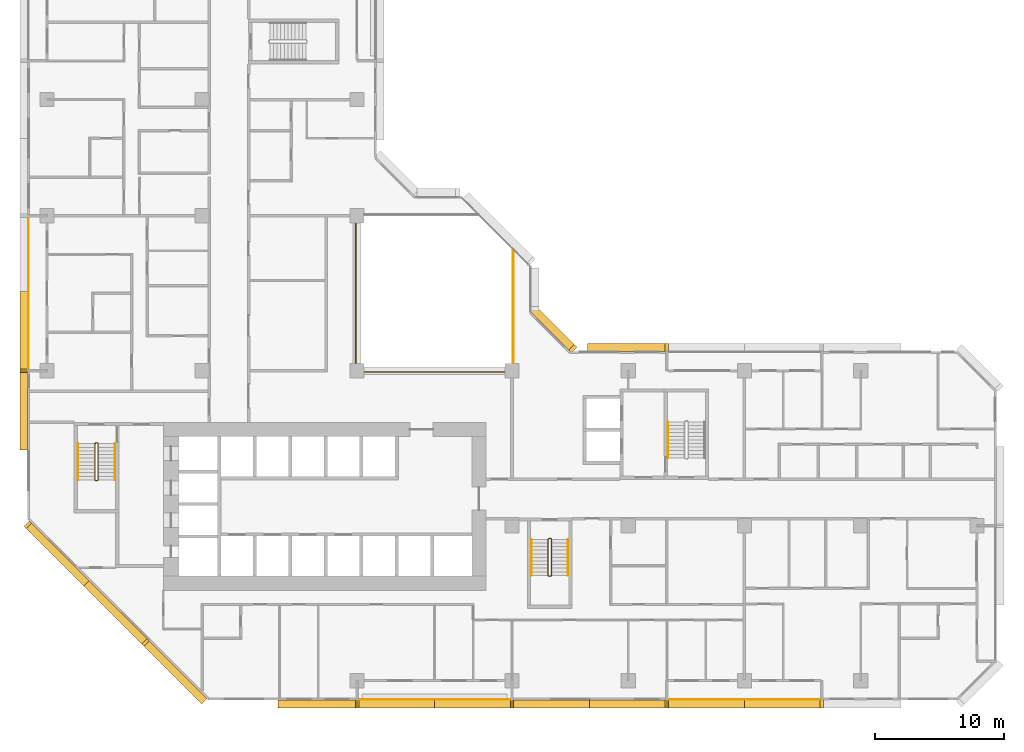
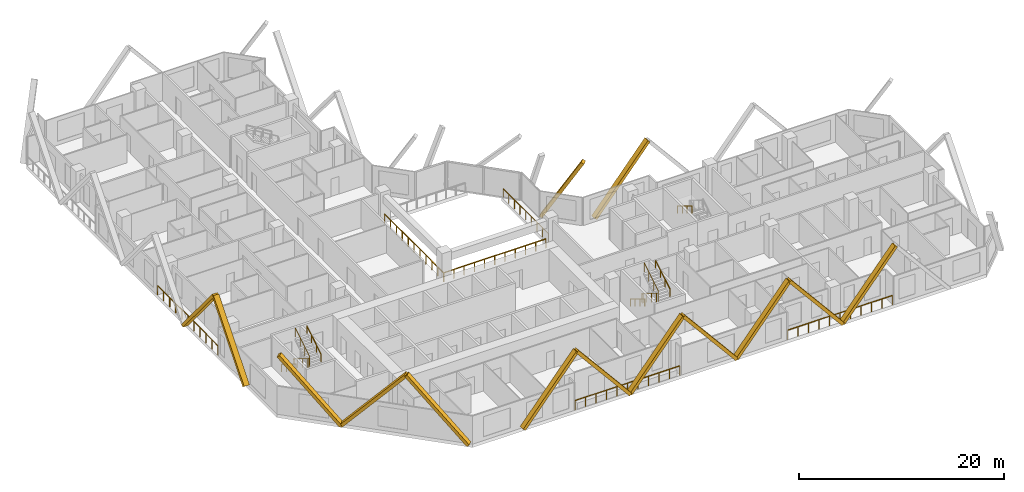
# One storey, part 14 of 15: 14 coverings, 12 railings.
"""IFC4 building model written with IfcOpenShell, lengths in metres."""

from ifc_helpers import new_model, si_unit, direction, frame, origin, origin_2d, place, context, subcontext, project, spatial, rectangle, extrude, material, material_profile, profile_set, type_object, element, save


model = new_model("IFC4")

# Units and contexts
model_context = context("Model", 3, precision=1e-05, world=origin(), true_north=direction((0.0, 1.0)))
body_context = subcontext(model_context, "Body", "Model", "MODEL_VIEW")
ifc_project = project(units=[si_unit("LENGTHUNIT", "METRE"), si_unit("AREAUNIT", "SQUARE_METRE"), si_unit("VOLUMEUNIT", "CUBIC_METRE"), si_unit("PLANEANGLEUNIT", "RADIAN"), si_unit("MASSUNIT", "GRAM", prefix="KILO")], contexts=[model_context])

# Site, building, storey
site_placement = place(None, origin())
site = spatial("IfcSite", under=ifc_project, at=site_placement, CompositionType="ELEMENT")
building_placement = place(site_placement, origin())
building = spatial("IfcBuilding", under=site, at=building_placement, Name="Chenar Terraces", CompositionType="ELEMENT")
storey_placement = place(building_placement, frame((0.0, 0.0, 48.89990234375)))
storey = spatial("IfcBuildingStorey", under=building, at=storey_placement, Name="L09", CompositionType="ELEMENT", Elevation=48.89990234375)

# Railings
ifc_material_1 = material(Name="Powder-coated steel", Category="steel")
railing_type_1 = type_object("IfcRailingType", Name="Guard 1100 steel rail with glass infill", PredefinedType="GUARDRAIL", material=ifc_material_1)
railing_1_placement = place(storey_placement, frame((23.89990234375, 35.449951171875, 0.0)))
element("IfcRailing", 1, at=railing_1_placement, inside=storey, type_object=railing_type_1, Name="Guard L09-1", PredefinedType="GUARDRAIL", context=body_context, shape_type="SweptSolid", body=[
    extrude(rectangle(XDim=0.06005859375, YDim=0.06005859375, at=origin_2d()), frame((0.0, 0.0, 1.070068359375), z_axis=(0.0, -1.0, 0.0), x_axis=(1.0, 0.0, 0.0)), (0.0, 0.0, 1.0), 11.550048828125),
    extrude(rectangle(XDim=0.06005859375, YDim=0.06005859375, at=origin_2d()), frame((0.0, -11.550048828125, 1.070068359375), z_axis=(1.0, 0.0, 0.0), x_axis=(0.0, 1.0, 0.0)), (0.0, 0.0, 1.0), 11.550048828125),
    extrude(rectangle(XDim=0.050048828125, YDim=0.050048828125, at=origin_2d()), origin(), (0.0, 0.0, 1.0), 1.0400390625),
    extrude(rectangle(XDim=0.050048828125, YDim=0.050048828125, at=origin_2d()), frame((0.0, -1.155029296875, 0.0)), (0.0, 0.0, 1.0), 1.0400390625),
    extrude(rectangle(XDim=0.050048828125, YDim=0.050048828125, at=origin_2d()), frame((0.0, -2.31005859375, 0.0)), (0.0, 0.0, 1.0), 1.0400390625),
    extrude(rectangle(XDim=0.050048828125, YDim=0.050048828125, at=origin_2d()), frame((0.0, -3.465087890625, 0.0)), (0.0, 0.0, 1.0), 1.0400390625),
    extrude(rectangle(XDim=0.050048828125, YDim=0.050048828125, at=origin_2d()), frame((0.0, -4.6201171875, 0.0)), (0.0, 0.0, 1.0), 1.0400390625),
    extrude(rectangle(XDim=0.050048828125, YDim=0.050048828125, at=origin_2d()), frame((0.0, -5.77490234375, 0.0)), (0.0, 0.0, 1.0), 1.0400390625),
    extrude(rectangle(XDim=0.050048828125, YDim=0.050048828125, at=origin_2d()), frame((0.0, -6.929931640625, 0.0)), (0.0, 0.0, 1.0), 1.0400390625),
    extrude(rectangle(XDim=0.050048828125, YDim=0.050048828125, at=origin_2d()), frame((0.0, -8.0849609375, 0.0)), (0.0, 0.0, 1.0), 1.0400390625),
    extrude(rectangle(XDim=0.050048828125, YDim=0.050048828125, at=origin_2d()), frame((0.0, -9.239990234375, 0.0)), (0.0, 0.0, 1.0), 1.0400390625),
    extrude(rectangle(XDim=0.050048828125, YDim=0.050048828125, at=origin_2d()), frame((0.0, -10.39501953125, 0.0)), (0.0, 0.0, 1.0), 1.0400390625),
    extrude(rectangle(XDim=0.050048828125, YDim=0.050048828125, at=origin_2d()), frame((0.0, -11.550048828125, 0.0)), (0.0, 0.0, 1.0), 1.0400390625),
    extrude(rectangle(XDim=0.050048828125, YDim=0.050048828125, at=origin_2d()), frame((1.155029296875, -11.550048828125, 0.0)), (0.0, 0.0, 1.0), 1.0400390625),
    extrude(rectangle(XDim=0.050048828125, YDim=0.050048828125, at=origin_2d()), frame((2.31005859375, -11.550048828125, 0.0)), (0.0, 0.0, 1.0), 1.0400390625),
    extrude(rectangle(XDim=0.050048828125, YDim=0.050048828125, at=origin_2d()), frame((3.465087890625, -11.550048828125, 0.0)), (0.0, 0.0, 1.0), 1.0400390625),
    extrude(rectangle(XDim=0.050048828125, YDim=0.050048828125, at=origin_2d()), frame((4.6201171875, -11.550048828125, 0.0)), (0.0, 0.0, 1.0), 1.0400390625),
    extrude(rectangle(XDim=0.050048828125, YDim=0.050048828125, at=origin_2d()), frame((5.77490234375, -11.550048828125, 0.0)), (0.0, 0.0, 1.0), 1.0400390625),
    extrude(rectangle(XDim=0.050048828125, YDim=0.050048828125, at=origin_2d()), frame((6.929931640625, -11.550048828125, 0.0)), (0.0, 0.0, 1.0), 1.0400390625),
    extrude(rectangle(XDim=0.050048828125, YDim=0.050048828125, at=origin_2d()), frame((8.0849609375, -11.550048828125, 0.0)), (0.0, 0.0, 1.0), 1.0400390625),
    extrude(rectangle(XDim=0.050048828125, YDim=0.050048828125, at=origin_2d()), frame((9.239990234375, -11.550048828125, 0.0)), (0.0, 0.0, 1.0), 1.0400390625),
    extrude(rectangle(XDim=0.050048828125, YDim=0.050048828125, at=origin_2d()), frame((10.39501953125, -11.550048828125, 0.0)), (0.0, 0.0, 1.0), 1.0400390625),
    extrude(rectangle(XDim=0.050048828125, YDim=0.050048828125, at=origin_2d()), frame((11.550048828125, -11.550048828125, 0.0)), (0.0, 0.0, 1.0), 1.0400390625),
])
railing_2_placement = place(storey_placement, frame((36.10009765625, 24.60009765625, 0.0)))
element("IfcRailing", 2, at=railing_2_placement, inside=storey, type_object=railing_type_1, Name="Guard L09-3", PredefinedType="GUARDRAIL", context=body_context, shape_type="SweptSolid", body=[
    extrude(rectangle(XDim=0.06005859375, YDim=0.06005859375, at=origin_2d()), frame((0.0, 0.0, 1.070068359375), z_axis=(0.0, 1.0, 0.0), x_axis=(-1.0, 0.0, 0.0)), (0.0, 0.0, 1.0), 8.7998046875),
    extrude(rectangle(XDim=0.050048828125, YDim=0.050048828125, at=origin_2d()), origin(), (0.0, 0.0, 1.0), 1.0400390625),
    extrude(rectangle(XDim=0.050048828125, YDim=0.050048828125, at=origin_2d()), frame((0.0, 1.10009765625, 0.0)), (0.0, 0.0, 1.0), 1.0400390625),
    extrude(rectangle(XDim=0.050048828125, YDim=0.050048828125, at=origin_2d()), frame((0.0, 2.199951171875, 0.0)), (0.0, 0.0, 1.0), 1.0400390625),
    extrude(rectangle(XDim=0.050048828125, YDim=0.050048828125, at=origin_2d()), frame((0.0, 3.2998046875, 0.0)), (0.0, 0.0, 1.0), 1.0400390625),
    extrude(rectangle(XDim=0.050048828125, YDim=0.050048828125, at=origin_2d()), frame((0.0, 4.39990234375, 0.0)), (0.0, 0.0, 1.0), 1.0400390625),
    extrude(rectangle(XDim=0.050048828125, YDim=0.050048828125, at=origin_2d()), frame((0.0, 5.5, 0.0)), (0.0, 0.0, 1.0), 1.0400390625),
    extrude(rectangle(XDim=0.050048828125, YDim=0.050048828125, at=origin_2d()), frame((0.0, 6.599853515625, 0.0)), (0.0, 0.0, 1.0), 1.0400390625),
    extrude(rectangle(XDim=0.050048828125, YDim=0.050048828125, at=origin_2d()), frame((0.0, 7.69970703125, 0.0)), (0.0, 0.0, 1.0), 1.0400390625),
    extrude(rectangle(XDim=0.050048828125, YDim=0.050048828125, at=origin_2d()), frame((0.0, 8.7998046875, 0.0)), (0.0, 0.0, 1.0), 1.0400390625),
])
ifc_material_2 = material(Name="Stainless steel and glass", Category="steel")
railing_type_2 = type_object("IfcRailingType", Name="Loggia guard 1150", PredefinedType="GUARDRAIL", material=ifc_material_2)
railing_3_placement = place(storey_placement, frame((24.074951171875, -1.449951171875, 0.0)))
element("IfcRailing", 3, at=railing_3_placement, inside=storey, type_object=railing_type_2, Name="Loggia guard", PredefinedType="GUARDRAIL", context=body_context, shape_type="SweptSolid", body=[
    extrude(rectangle(XDim=0.048095703125, YDim=0.048095703125, at=origin_2d()), frame((0.0, 0.0, 1.1259765625), z_axis=(1.0, 0.0, 0.0), x_axis=(0.0, 1.0, 0.0)), (0.0, 0.0, 1.0), 11.85009765625),
    extrude(rectangle(XDim=0.0419921875, YDim=0.0419921875, at=origin_2d()), origin(), (0.0, 0.0, 1.0), 1.101806640625),
    extrude(rectangle(XDim=0.0419921875, YDim=0.0419921875, at=origin_2d()), frame((1.18505859375, 0.0, 0.0)), (0.0, 0.0, 1.0), 1.101806640625),
    extrude(rectangle(XDim=0.0419921875, YDim=0.0419921875, at=origin_2d()), frame((2.3701171875, 0.0, 0.0)), (0.0, 0.0, 1.0), 1.101806640625),
    extrude(rectangle(XDim=0.0419921875, YDim=0.0419921875, at=origin_2d()), frame((3.554931640625, 0.0, 0.0)), (0.0, 0.0, 1.0), 1.101806640625),
    extrude(rectangle(XDim=0.0419921875, YDim=0.0419921875, at=origin_2d()), frame((4.739990234375, 0.0, 0.0)), (0.0, 0.0, 1.0), 1.101806640625),
    extrude(rectangle(XDim=0.0419921875, YDim=0.0419921875, at=origin_2d()), frame((5.925048828125, 0.0, 0.0)), (0.0, 0.0, 1.0), 1.101806640625),
    extrude(rectangle(XDim=0.0419921875, YDim=0.0419921875, at=origin_2d()), frame((7.110107421875, 0.0, 0.0)), (0.0, 0.0, 1.0), 1.101806640625),
    extrude(rectangle(XDim=0.0419921875, YDim=0.0419921875, at=origin_2d()), frame((8.295166015625, 0.0, 0.0)), (0.0, 0.0, 1.0), 1.101806640625),
    extrude(rectangle(XDim=0.0419921875, YDim=0.0419921875, at=origin_2d()), frame((9.47998046875, 0.0, 0.0)), (0.0, 0.0, 1.0), 1.101806640625),
    extrude(rectangle(XDim=0.0419921875, YDim=0.0419921875, at=origin_2d()), frame((10.6650390625, 0.0, 0.0)), (0.0, 0.0, 1.0), 1.101806640625),
    extrude(rectangle(XDim=0.0419921875, YDim=0.0419921875, at=origin_2d()), frame((11.85009765625, 0.0, 0.0)), (0.0, 0.0, 1.0), 1.101806640625),
])
railing_4_placement = place(storey_placement, frame((48.074951171875, -1.449951171875, 0.0)))
element("IfcRailing", 4, at=railing_4_placement, inside=storey, type_object=railing_type_2, Name="Loggia guard", PredefinedType="GUARDRAIL", context=body_context, shape_type="SweptSolid", body=[
    extrude(rectangle(XDim=0.048095703125, YDim=0.048095703125, at=origin_2d()), frame((0.0, 0.0, 1.1259765625), z_axis=(1.0, 0.0, 0.0), x_axis=(0.0, 1.0, 0.0)), (0.0, 0.0, 1.0), 11.85009765625),
    extrude(rectangle(XDim=0.0419921875, YDim=0.0419921875, at=origin_2d()), origin(), (0.0, 0.0, 1.0), 1.101806640625),
    extrude(rectangle(XDim=0.0419921875, YDim=0.0419921875, at=origin_2d()), frame((1.18505859375, 0.0, 0.0)), (0.0, 0.0, 1.0), 1.101806640625),
    extrude(rectangle(XDim=0.0419921875, YDim=0.0419921875, at=origin_2d()), frame((2.3701171875, 0.0, 0.0)), (0.0, 0.0, 1.0), 1.101806640625),
    extrude(rectangle(XDim=0.0419921875, YDim=0.0419921875, at=origin_2d()), frame((3.554931640625, 0.0, 0.0)), (0.0, 0.0, 1.0), 1.101806640625),
    extrude(rectangle(XDim=0.0419921875, YDim=0.0419921875, at=origin_2d()), frame((4.739990234375, 0.0, 0.0)), (0.0, 0.0, 1.0), 1.101806640625),
    extrude(rectangle(XDim=0.0419921875, YDim=0.0419921875, at=origin_2d()), frame((5.925048828125, 0.0, 0.0)), (0.0, 0.0, 1.0), 1.101806640625),
    extrude(rectangle(XDim=0.0419921875, YDim=0.0419921875, at=origin_2d()), frame((7.110107421875, 0.0, 0.0)), (0.0, 0.0, 1.0), 1.101806640625),
    extrude(rectangle(XDim=0.0419921875, YDim=0.0419921875, at=origin_2d()), frame((8.295166015625, 0.0, 0.0)), (0.0, 0.0, 1.0), 1.101806640625),
    extrude(rectangle(XDim=0.0419921875, YDim=0.0419921875, at=origin_2d()), frame((9.47998046875, 0.0, 0.0)), (0.0, 0.0, 1.0), 1.101806640625),
    extrude(rectangle(XDim=0.0419921875, YDim=0.0419921875, at=origin_2d()), frame((10.6650390625, 0.0, 0.0)), (0.0, 0.0, 1.0), 1.101806640625),
    extrude(rectangle(XDim=0.0419921875, YDim=0.0419921875, at=origin_2d()), frame((11.85009765625, 0.0, 0.0)), (0.0, 0.0, 1.0), 1.101806640625),
])
railing_5_placement = place(storey_placement, frame((-1.449951171875, 35.925048828125, 0.0)))
element("IfcRailing", 5, at=railing_5_placement, inside=storey, type_object=railing_type_2, Name="Loggia guard", PredefinedType="GUARDRAIL", context=body_context, shape_type="SweptSolid", body=[
    extrude(rectangle(XDim=0.048095703125, YDim=0.048095703125, at=origin_2d()), frame((0.0, 0.0, 1.1259765625), z_axis=(0.0, -1.0, 0.0), x_axis=(1.0, 0.0, 0.0)), (0.0, 0.0, 1.0), 11.85009765625),
    extrude(rectangle(XDim=0.0419921875, YDim=0.0419921875, at=origin_2d()), origin(), (0.0, 0.0, 1.0), 1.101806640625),
    extrude(rectangle(XDim=0.0419921875, YDim=0.0419921875, at=origin_2d()), frame((0.0, -1.18505859375, 0.0)), (0.0, 0.0, 1.0), 1.101806640625),
    extrude(rectangle(XDim=0.0419921875, YDim=0.0419921875, at=origin_2d()), frame((0.0, -2.3701171875, 0.0)), (0.0, 0.0, 1.0), 1.101806640625),
    extrude(rectangle(XDim=0.0419921875, YDim=0.0419921875, at=origin_2d()), frame((0.0, -3.554931640625, 0.0)), (0.0, 0.0, 1.0), 1.101806640625),
    extrude(rectangle(XDim=0.0419921875, YDim=0.0419921875, at=origin_2d()), frame((0.0, -4.739990234375, 0.0)), (0.0, 0.0, 1.0), 1.101806640625),
    extrude(rectangle(XDim=0.0419921875, YDim=0.0419921875, at=origin_2d()), frame((0.0, -5.925048828125, 0.0)), (0.0, 0.0, 1.0), 1.101806640625),
    extrude(rectangle(XDim=0.0419921875, YDim=0.0419921875, at=origin_2d()), frame((0.0, -7.110107421875, 0.0)), (0.0, 0.0, 1.0), 1.101806640625),
    extrude(rectangle(XDim=0.0419921875, YDim=0.0419921875, at=origin_2d()), frame((0.0, -8.295166015625, 0.0)), (0.0, 0.0, 1.0), 1.101806640625),
    extrude(rectangle(XDim=0.0419921875, YDim=0.0419921875, at=origin_2d()), frame((0.0, -9.47998046875, 0.0)), (0.0, 0.0, 1.0), 1.101806640625),
    extrude(rectangle(XDim=0.0419921875, YDim=0.0419921875, at=origin_2d()), frame((0.0, -10.6650390625, 0.0)), (0.0, 0.0, 1.0), 1.101806640625),
    extrude(rectangle(XDim=0.0419921875, YDim=0.0419921875, at=origin_2d()), frame((0.0, -11.85009765625, 0.0)), (0.0, 0.0, 1.0), 1.101806640625),
])
ifc_material_3 = material(Name="Powder-coated steel", Category="steel")
railing_type_3 = type_object("IfcRailingType", Name="Stair guard 1100", PredefinedType="GUARDRAIL", material=ifc_material_3)
railing_6_placement = place(storey_placement, frame((3.949951171875, 18.35009765625, 3.75)))
element("IfcRailing", 6, at=railing_6_placement, inside=storey, type_object=railing_type_3, Name="L09 ST1 stair guard 1", PredefinedType="GUARDRAIL", context=body_context, shape_type="SweptSolid", body=[
    extrude(rectangle(XDim=0.048095703125, YDim=0.048095703125, at=origin_2d()), frame((0.0, 0.0, 1.076171875), z_axis=(0.0, -0.854202870247, -0.519939858505), x_axis=(1.0, 0.0, 0.0)), (0.0, 0.0, 1.0), 3.278076171875),
    extrude(rectangle(XDim=0.048095703125, YDim=0.048095703125, at=origin_2d()), frame((0.0, -2.800048828125, -0.62841796875), z_axis=(-0.270899902878, -0.270899902878, -0.923702595667), x_axis=(0.707106781187, -0.707106781187, 0.0)), (0.0, 0.0, 1.0), 0.184814453125),
    extrude(rectangle(XDim=0.048095703125, YDim=0.048095703125, at=origin_2d()), frame((-0.050048828125, -2.85009765625, -0.798828125), z_axis=(-1.0, 0.0, 0.0), x_axis=(0.0, -1.0, 0.0)), (0.0, 0.0, 1.0), 0.14990234375),
    extrude(rectangle(XDim=0.048095703125, YDim=0.048095703125, at=origin_2d()), frame((-0.199951171875, -2.85009765625, -0.798828125), z_axis=(-0.707106781187, 0.707106781187, 0.0), x_axis=(-0.707106781187, -0.707106781187, 0.0)), (0.0, 0.0, 1.0), 0.07080078125),
    extrude(rectangle(XDim=0.048095703125, YDim=0.048095703125, at=origin_2d()), frame((-0.25, -2.800048828125, -0.798828125), z_axis=(0.0, 0.854202870247, -0.519939858505), x_axis=(-1.0, 0.0, 0.0)), (0.0, 0.0, 1.0), 3.278076171875),
    extrude(rectangle(XDim=0.048095703125, YDim=0.048095703125, at=origin_2d()), frame((-0.25, 0.0, -2.50341796875), z_axis=(0.270996696079, 0.269674760976, -0.924032636873), x_axis=(-0.705375805398, 0.708833529934, 0.0)), (0.0, 0.0, 1.0), 0.1845703125),
    extrude(rectangle(XDim=0.048095703125, YDim=0.048095703125, at=origin_2d()), frame((-0.199951171875, 0.0498046875, -2.673828125), z_axis=(1.0, 0.0, 0.0), x_axis=(0.0, 1.0, 0.0)), (0.0, 0.0, 1.0), 0.14990234375),
    extrude(rectangle(XDim=0.0419921875, YDim=0.0419921875, at=origin_2d()), origin(), (0.0, 0.0, 1.0), 1.052001953125),
    extrude(rectangle(XDim=0.0419921875, YDim=0.0419921875, at=origin_2d()), frame((0.0, -0.933349609375, -0.568115234375)), (0.0, 0.0, 1.0), 1.052001953125),
    extrude(rectangle(XDim=0.0419921875, YDim=0.0419921875, at=origin_2d()), frame((0.0, -1.86669921875, -1.13623046875)), (0.0, 0.0, 1.0), 1.052001953125),
    extrude(rectangle(XDim=0.0419921875, YDim=0.0419921875, at=origin_2d()), frame((0.0, -2.800048828125, -1.704345703125)), (0.0, 0.0, 1.0), 1.052001953125),
    extrude(rectangle(XDim=0.0419921875, YDim=0.0419921875, at=origin_2d()), frame((-0.050048828125, -2.85009765625, -1.875)), (0.0, 0.0, 1.0), 1.052001953125),
    extrude(rectangle(XDim=0.0419921875, YDim=0.0419921875, at=origin_2d()), frame((-0.199951171875, -2.85009765625, -1.875)), (0.0, 0.0, 1.0), 1.052001953125),
    extrude(rectangle(XDim=0.0419921875, YDim=0.0419921875, at=origin_2d()), frame((-0.25, -2.800048828125, -1.875)), (0.0, 0.0, 1.0), 1.052001953125),
    extrude(rectangle(XDim=0.0419921875, YDim=0.0419921875, at=origin_2d()), frame((-0.25, -1.86669921875, -2.443115234375)), (0.0, 0.0, 1.0), 1.052001953125),
    extrude(rectangle(XDim=0.0419921875, YDim=0.0419921875, at=origin_2d()), frame((-0.25, -0.933349609375, -3.01123046875)), (0.0, 0.0, 1.0), 1.052001953125),
    extrude(rectangle(XDim=0.0419921875, YDim=0.0419921875, at=origin_2d()), frame((-0.25, 0.0, -3.579345703125)), (0.0, 0.0, 1.0), 1.052001953125),
    extrude(rectangle(XDim=0.0419921875, YDim=0.0419921875, at=origin_2d()), frame((-0.199951171875, 0.0498046875, -3.75)), (0.0, 0.0, 1.0), 1.052001953125),
    extrude(rectangle(XDim=0.0419921875, YDim=0.0419921875, at=origin_2d()), frame((-0.050048828125, 0.0498046875, -3.75)), (0.0, 0.0, 1.0), 1.052001953125),
])
railing_7_placement = place(storey_placement, frame((39.050048828125, 10.949951171875, 3.75)))
element("IfcRailing", 7, at=railing_7_placement, inside=storey, type_object=railing_type_3, Name="L09 ST2 stair guard 1", PredefinedType="GUARDRAIL", context=body_context, shape_type="SweptSolid", body=[
    extrude(rectangle(XDim=0.048095703125, YDim=0.048095703125, at=origin_2d()), frame((0.0, 0.0, 1.076171875), z_axis=(0.0, -0.854202870247, -0.519939858505), x_axis=(1.0, 0.0, 0.0)), (0.0, 0.0, 1.0), 3.278076171875),
    extrude(rectangle(XDim=0.048095703125, YDim=0.048095703125, at=origin_2d()), frame((0.0, -2.800048828125, -0.62841796875), z_axis=(-0.270996696079, -0.269674760976, -0.924032636873), x_axis=(0.705375805398, -0.708833529934, 0.0)), (0.0, 0.0, 1.0), 0.1845703125),
    extrude(rectangle(XDim=0.048095703125, YDim=0.048095703125, at=origin_2d()), frame((-0.050048828125, -2.849853515625, -0.798828125), z_axis=(-1.0, 0.0, 0.0), x_axis=(0.0, -1.0, 0.0)), (0.0, 0.0, 1.0), 0.14990234375),
    extrude(rectangle(XDim=0.048095703125, YDim=0.048095703125, at=origin_2d()), frame((-0.199951171875, -2.849853515625, -0.798828125), z_axis=(-0.708833529934, 0.705375805398, 0.0), x_axis=(-0.705375805398, -0.708833529934, 0.0)), (0.0, 0.0, 1.0), 0.070556640625),
    extrude(rectangle(XDim=0.048095703125, YDim=0.048095703125, at=origin_2d()), frame((-0.25, -2.800048828125, -0.798828125), z_axis=(0.0, 0.854202870247, -0.519939858505), x_axis=(-1.0, 0.0, 0.0)), (0.0, 0.0, 1.0), 3.278076171875),
    extrude(rectangle(XDim=0.048095703125, YDim=0.048095703125, at=origin_2d()), frame((-0.25, 0.0, -2.50341796875), z_axis=(0.270899902878, 0.270899902878, -0.923702595667), x_axis=(-0.707106781187, 0.707106781187, 0.0)), (0.0, 0.0, 1.0), 0.184814453125),
    extrude(rectangle(XDim=0.048095703125, YDim=0.048095703125, at=origin_2d()), frame((-0.199951171875, 0.050048828125, -2.673828125), z_axis=(1.0, 0.0, 0.0), x_axis=(0.0, 1.0, 0.0)), (0.0, 0.0, 1.0), 0.14990234375),
    extrude(rectangle(XDim=0.0419921875, YDim=0.0419921875, at=origin_2d()), origin(), (0.0, 0.0, 1.0), 1.052001953125),
    extrude(rectangle(XDim=0.0419921875, YDim=0.0419921875, at=origin_2d()), frame((0.0, -0.933349609375, -0.568115234375)), (0.0, 0.0, 1.0), 1.052001953125),
    extrude(rectangle(XDim=0.0419921875, YDim=0.0419921875, at=origin_2d()), frame((0.0, -1.86669921875, -1.13623046875)), (0.0, 0.0, 1.0), 1.052001953125),
    extrude(rectangle(XDim=0.0419921875, YDim=0.0419921875, at=origin_2d()), frame((0.0, -2.800048828125, -1.704345703125)), (0.0, 0.0, 1.0), 1.052001953125),
    extrude(rectangle(XDim=0.0419921875, YDim=0.0419921875, at=origin_2d()), frame((-0.050048828125, -2.849853515625, -1.875)), (0.0, 0.0, 1.0), 1.052001953125),
    extrude(rectangle(XDim=0.0419921875, YDim=0.0419921875, at=origin_2d()), frame((-0.199951171875, -2.849853515625, -1.875)), (0.0, 0.0, 1.0), 1.052001953125),
    extrude(rectangle(XDim=0.0419921875, YDim=0.0419921875, at=origin_2d()), frame((-0.25, -2.800048828125, -1.875)), (0.0, 0.0, 1.0), 1.052001953125),
    extrude(rectangle(XDim=0.0419921875, YDim=0.0419921875, at=origin_2d()), frame((-0.25, -1.86669921875, -2.443115234375)), (0.0, 0.0, 1.0), 1.052001953125),
    extrude(rectangle(XDim=0.0419921875, YDim=0.0419921875, at=origin_2d()), frame((-0.25, -0.933349609375, -3.01123046875)), (0.0, 0.0, 1.0), 1.052001953125),
    extrude(rectangle(XDim=0.0419921875, YDim=0.0419921875, at=origin_2d()), frame((-0.25, 0.0, -3.579345703125)), (0.0, 0.0, 1.0), 1.052001953125),
    extrude(rectangle(XDim=0.0419921875, YDim=0.0419921875, at=origin_2d()), frame((-0.199951171875, 0.050048828125, -3.75)), (0.0, 0.0, 1.0), 1.052001953125),
    extrude(rectangle(XDim=0.0419921875, YDim=0.0419921875, at=origin_2d()), frame((-0.050048828125, 0.050048828125, -3.75)), (0.0, 0.0, 1.0), 1.052001953125),
])
ifc_material_4 = material(Name="Powder-coated steel", Category="steel")
railing_type_4 = type_object("IfcRailingType", Name="Stair handrail 900", PredefinedType="HANDRAIL", material=ifc_material_4)
railing_8_placement = place(storey_placement, frame((2.39990234375, 18.35009765625, 0.170654296875)))
element("IfcRailing", 8, at=railing_8_placement, inside=storey, type_object=railing_type_4, Name="L09 ST1 stair handrail 1", PredefinedType="HANDRAIL", context=body_context, shape_type="SweptSolid", body=[
    extrude(rectangle(XDim=0.048095703125, YDim=0.048095703125, at=origin_2d()), frame((0.0, 0.0, 0.8759765625), z_axis=(0.0, -0.854202870247, 0.519939858505), x_axis=(1.0, 0.0, 0.0)), (0.0, 0.0, 1.0), 3.278076171875),
    extrude(rectangle(XDim=0.0419921875, YDim=0.0419921875, at=origin_2d()), origin(), (0.0, 0.0, 1.0), 0.851806640625),
    extrude(rectangle(XDim=0.0419921875, YDim=0.0419921875, at=origin_2d()), frame((0.0, -0.933349609375, 0.568115234375)), (0.0, 0.0, 1.0), 0.851806640625),
    extrude(rectangle(XDim=0.0419921875, YDim=0.0419921875, at=origin_2d()), frame((0.0, -1.86669921875, 1.13623046875)), (0.0, 0.0, 1.0), 0.851806640625),
    extrude(rectangle(XDim=0.0419921875, YDim=0.0419921875, at=origin_2d()), frame((0.0, -2.800048828125, 1.704345703125)), (0.0, 0.0, 1.0), 0.851806640625),
])
railing_9_placement = place(storey_placement, frame((5.25, 15.550048828125, 2.045654296875)))
element("IfcRailing", 9, at=railing_9_placement, inside=storey, type_object=railing_type_4, Name="L09 ST1 stair handrail 2", PredefinedType="HANDRAIL", context=body_context, shape_type="SweptSolid", body=[
    extrude(rectangle(XDim=0.048095703125, YDim=0.048095703125, at=origin_2d()), frame((0.0, 0.0, 0.8759765625), z_axis=(0.0, 0.854202870247, 0.519939858505), x_axis=(-1.0, 0.0, 0.0)), (0.0, 0.0, 1.0), 3.278076171875),
    extrude(rectangle(XDim=0.0419921875, YDim=0.0419921875, at=origin_2d()), origin(), (0.0, 0.0, 1.0), 0.851806640625),
    extrude(rectangle(XDim=0.0419921875, YDim=0.0419921875, at=origin_2d()), frame((0.0, 0.933349609375, 0.568115234375)), (0.0, 0.0, 1.0), 0.851806640625),
    extrude(rectangle(XDim=0.0419921875, YDim=0.0419921875, at=origin_2d()), frame((0.0, 1.86669921875, 1.13623046875)), (0.0, 0.0, 1.0), 0.851806640625),
    extrude(rectangle(XDim=0.0419921875, YDim=0.0419921875, at=origin_2d()), frame((0.0, 2.800048828125, 1.704345703125)), (0.0, 0.0, 1.0), 0.851806640625),
])
railing_10_placement = place(storey_placement, frame((37.5, 10.949951171875, 0.170654296875)))
element("IfcRailing", 10, at=railing_10_placement, inside=storey, type_object=railing_type_4, Name="L09 ST2 stair handrail 1", PredefinedType="HANDRAIL", context=body_context, shape_type="SweptSolid", body=[
    extrude(rectangle(XDim=0.048095703125, YDim=0.048095703125, at=origin_2d()), frame((0.0, 0.0, 0.8759765625), z_axis=(0.0, -0.854202870247, 0.519939858505), x_axis=(1.0, 0.0, 0.0)), (0.0, 0.0, 1.0), 3.278076171875),
    extrude(rectangle(XDim=0.0419921875, YDim=0.0419921875, at=origin_2d()), origin(), (0.0, 0.0, 1.0), 0.851806640625),
    extrude(rectangle(XDim=0.0419921875, YDim=0.0419921875, at=origin_2d()), frame((0.0, -0.933349609375, 0.568115234375)), (0.0, 0.0, 1.0), 0.851806640625),
    extrude(rectangle(XDim=0.0419921875, YDim=0.0419921875, at=origin_2d()), frame((0.0, -1.86669921875, 1.13623046875)), (0.0, 0.0, 1.0), 0.851806640625),
    extrude(rectangle(XDim=0.0419921875, YDim=0.0419921875, at=origin_2d()), frame((0.0, -2.800048828125, 1.704345703125)), (0.0, 0.0, 1.0), 0.851806640625),
])
railing_11_placement = place(storey_placement, frame((40.35009765625, 8.14990234375, 2.045654296875)))
element("IfcRailing", 11, at=railing_11_placement, inside=storey, type_object=railing_type_4, Name="L09 ST2 stair handrail 2", PredefinedType="HANDRAIL", context=body_context, shape_type="SweptSolid", body=[
    extrude(rectangle(XDim=0.048095703125, YDim=0.048095703125, at=origin_2d()), frame((0.0, 0.0, 0.8759765625), z_axis=(0.0, 0.854202870247, 0.519939858505), x_axis=(-1.0, 0.0, 0.0)), (0.0, 0.0, 1.0), 3.278076171875),
    extrude(rectangle(XDim=0.0419921875, YDim=0.0419921875, at=origin_2d()), origin(), (0.0, 0.0, 1.0), 0.851806640625),
    extrude(rectangle(XDim=0.0419921875, YDim=0.0419921875, at=origin_2d()), frame((0.0, 0.933349609375, 0.568115234375)), (0.0, 0.0, 1.0), 0.851806640625),
    extrude(rectangle(XDim=0.0419921875, YDim=0.0419921875, at=origin_2d()), frame((0.0, 1.86669921875, 1.13623046875)), (0.0, 0.0, 1.0), 0.851806640625),
    extrude(rectangle(XDim=0.0419921875, YDim=0.0419921875, at=origin_2d()), frame((0.0, 2.800048828125, 1.704345703125)), (0.0, 0.0, 1.0), 0.851806640625),
])
railing_12_placement = place(storey_placement, frame((48.074951171875, 20.050048828125, 2.045654296875)))
element("IfcRailing", 12, at=railing_12_placement, inside=storey, type_object=railing_type_4, Name="L09 ST3 stair handrail 2", PredefinedType="HANDRAIL", context=body_context, shape_type="SweptSolid", body=[
    extrude(rectangle(XDim=0.048095703125, YDim=0.048095703125, at=origin_2d()), frame((0.0, 0.0, 0.8759765625), z_axis=(0.0, -0.854202870247, 0.519939858505), x_axis=(1.0, 0.0, 0.0)), (0.0, 0.0, 1.0), 3.278076171875),
    extrude(rectangle(XDim=0.0419921875, YDim=0.0419921875, at=origin_2d()), origin(), (0.0, 0.0, 1.0), 0.851806640625),
    extrude(rectangle(XDim=0.0419921875, YDim=0.0419921875, at=origin_2d()), frame((0.0, -0.933349609375, 0.568115234375)), (0.0, 0.0, 1.0), 0.851806640625),
    extrude(rectangle(XDim=0.0419921875, YDim=0.0419921875, at=origin_2d()), frame((0.0, -1.86669921875, 1.13623046875)), (0.0, 0.0, 1.0), 0.851806640625),
    extrude(rectangle(XDim=0.0419921875, YDim=0.0419921875, at=origin_2d()), frame((0.0, -2.800048828125, 1.704345703125)), (0.0, 0.0, 1.0), 0.851806640625),
])

# Coverings
ifc_material_5 = material(Name="Terracotta", Category="masonry")
ifc_material_profile = material_profile(ifc_material_5, rectangle(XDim=0.60009765625, YDim=0.35009765625, at=origin_2d()), Name="Terracotta baguette 600 x 350")
ifc_profile_set = profile_set([ifc_material_profile], Name="Terracotta")
covering_type = type_object("IfcCoveringType", Name="Terracotta baguette 600 x 350", PredefinedType="CLADDING", material=ifc_profile_set)
covering_1_placement = place(storey_placement, frame((48.0, 25.800048828125, 7.35009765625), z_axis=(-0.640186961885, 0.0, -0.768219144407), x_axis=(0.0, -1.0, 0.0)))
element("IfcCovering", 13, at=covering_1_placement, inside=storey, type_object=covering_type, Name="Terracotta baguette", PredefinedType="CLADDING", context=body_context, shape_type="SweptSolid", body=[
    extrude(rectangle(XDim=0.60009765625, YDim=0.35009765625, at=origin_2d()), origin(), (0.0, 0.0, 1.0), 9.372314453125),
])
covering_2_placement = place(storey_placement, frame((40.712158203125, 25.712158203125, 7.35009765625), z_axis=(-0.358980886355, 0.358980886355, -0.861548284464), x_axis=(-0.707106781187, -0.707106781187, 0.0)))
element("IfcCovering", 14, at=covering_2_placement, inside=storey, type_object=covering_type, Name="Terracotta baguette", PredefinedType="CLADDING", context=body_context, shape_type="SweptSolid", body=[
    extrude(rectangle(XDim=0.60009765625, YDim=0.35009765625, at=origin_2d()), origin(), (0.0, 0.0, 1.0), 8.35693359375),
])
for number, where, z_axis, x_axis, name in (
    (15, (-1.800048828125, 30.0, 0.150146484375), (0.0, -0.640186961885, 0.768219144407), (1.0, 0.0, 0.0), "Terracotta baguette"),
    (16, (-1.800048828125, 24.0, 7.35009765625), (0.0, -0.640186961885, -0.768219144407), (1.0, 0.0, 0.0), "Terracotta baguette"),
):
    element("IfcCovering", number, at=place(storey_placement, frame(where, z_axis=z_axis, x_axis=x_axis)), inside=storey, type_object=covering_type, Name=name, PredefinedType="CLADDING", context=body_context, shape_type="SweptSolid", body=[
        extrude(rectangle(XDim=0.60009765625, YDim=0.35009765625, at=origin_2d()), origin(), (0.0, 0.0, 1.0), 9.372314453125),
    ])
covering_3_placement = place(storey_placement, frame((-1.5, 12.07568359375, 7.35009765625), z_axis=(0.465624035565, -0.465624035565, -0.752587878595), x_axis=(0.707106781187, 0.707106781187, 0.0)))
element("IfcCovering", 17, at=covering_3_placement, inside=storey, type_object=covering_type, Name="Terracotta baguette", PredefinedType="CLADDING", context=body_context, shape_type="SweptSolid", body=[
    extrude(rectangle(XDim=0.60009765625, YDim=0.35009765625, at=origin_2d()), origin(), (0.0, 0.0, 1.0), 9.56689453125),
])
covering_4_placement = place(storey_placement, frame((2.95458984375, 7.62109375, 0.150146484375), z_axis=(0.477788925607, -0.477788925607, 0.737180768289), x_axis=(0.707106781187, 0.707106781187, 0.0)))
element("IfcCovering", 18, at=covering_4_placement, inside=storey, type_object=covering_type, Name="Terracotta baguette", PredefinedType="CLADDING", context=body_context, shape_type="SweptSolid", body=[
    extrude(rectangle(XDim=0.60009765625, YDim=0.35009765625, at=origin_2d()), origin(), (0.0, 0.0, 1.0), 9.766845703125),
])
covering_5_placement = place(storey_placement, frame((7.62109375, 2.95458984375, 7.35009765625), z_axis=(0.465624035565, -0.465624035565, -0.752587878595), x_axis=(0.707106781187, 0.707106781187, 0.0)))
element("IfcCovering", 19, at=covering_5_placement, inside=storey, type_object=covering_type, Name="Terracotta baguette", PredefinedType="CLADDING", context=body_context, shape_type="SweptSolid", body=[
    extrude(rectangle(XDim=0.60009765625, YDim=0.35009765625, at=origin_2d()), origin(), (0.0, 0.0, 1.0), 9.56689453125),
])
for number, where, z_axis, x_axis, name in (
    (20, (18.0, -1.800048828125, 0.150146484375), (0.640186961885, 0.0, 0.768219144407), (0.0, 1.0, 0.0), "Terracotta baguette"),
    (21, (24.0, -1.800048828125, 7.35009765625), (0.640186961885, 0.0, -0.768219144407), (0.0, 1.0, 0.0), "Terracotta baguette"),
    (22, (30.0, -1.800048828125, 0.150146484375), (0.640186961885, 0.0, 0.768219144407), (0.0, 1.0, 0.0), "Terracotta baguette"),
    (23, (36.0, -1.800048828125, 7.35009765625), (0.640186961885, 0.0, -0.768219144407), (0.0, 1.0, 0.0), "Terracotta baguette"),
    (24, (42.0, -1.800048828125, 0.150146484375), (0.640186961885, 0.0, 0.768219144407), (0.0, 1.0, 0.0), "Terracotta baguette"),
    (25, (48.0, -1.800048828125, 7.35009765625), (0.640186961885, 0.0, -0.768219144407), (0.0, 1.0, 0.0), "Terracotta baguette"),
    (26, (54.0, -1.800048828125, 0.150146484375), (0.640186961885, 0.0, 0.768219144407), (0.0, 1.0, 0.0), "Terracotta baguette"),
):
    element("IfcCovering", number, at=place(storey_placement, frame(where, z_axis=z_axis, x_axis=x_axis)), inside=storey, type_object=covering_type, Name=name, PredefinedType="CLADDING", context=body_context, shape_type="SweptSolid", body=[
        extrude(rectangle(XDim=0.60009765625, YDim=0.35009765625, at=origin_2d()), origin(), (0.0, 0.0, 1.0), 9.372314453125),
    ])

save(model, "model.ifc")
